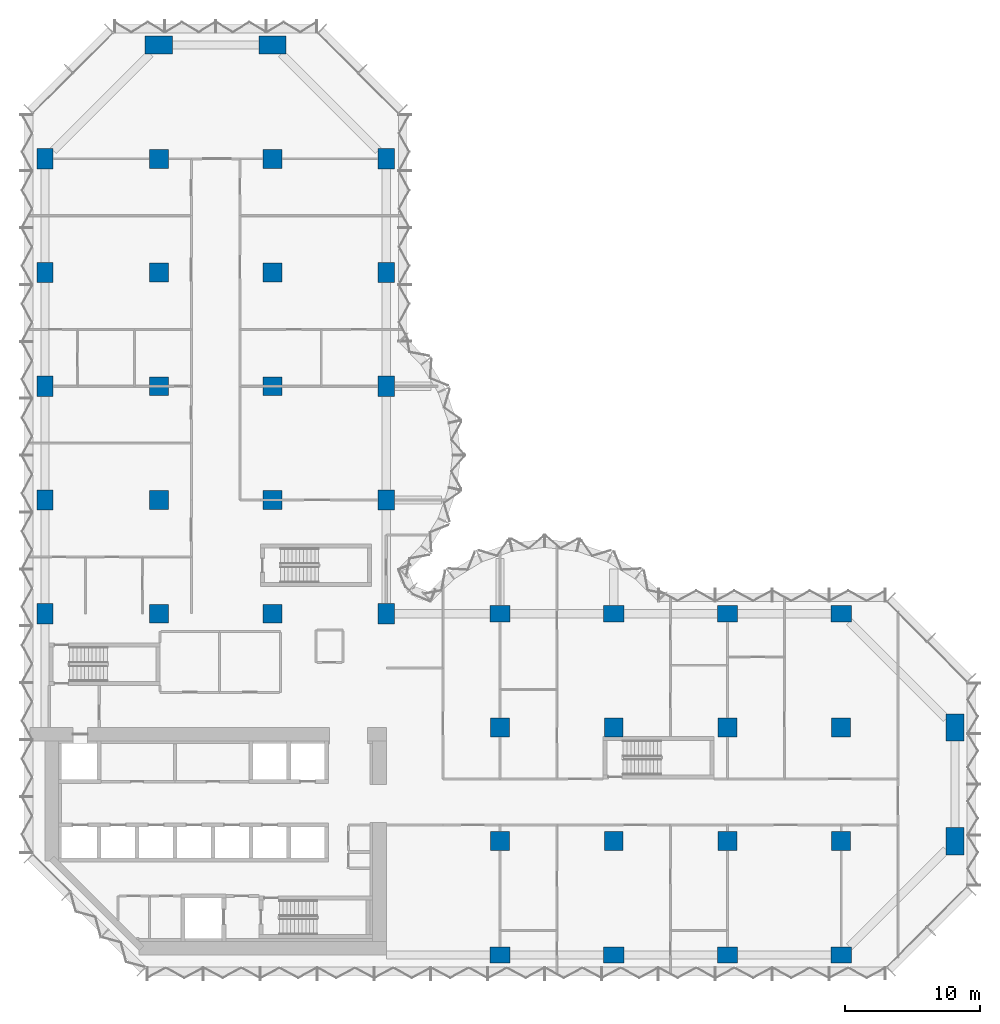
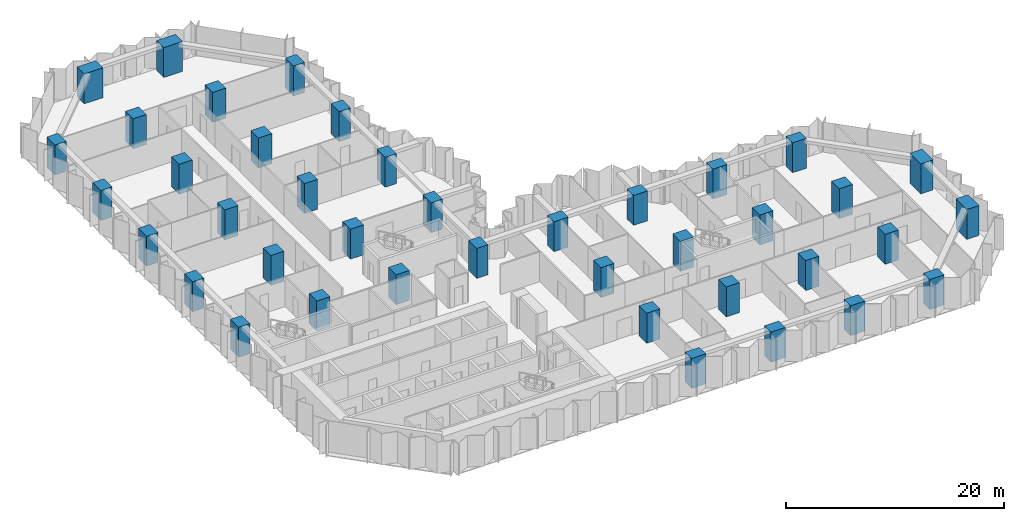
# One storey, part 1 of 15: 40 columns.
"""IFC4 building model written with IfcOpenShell, lengths in metres."""

from ifc_helpers import new_model, si_unit, direction, frame, origin, origin_2d, place, context, subcontext, project, spatial, rectangle, extrude, material, material_profile, profile_set, type_object, element, save


model = new_model("IFC4")

# Units and contexts
model_context = context("Model", 3, precision=1e-05, world=origin(), true_north=direction((0.0, 1.0)))
body_context = subcontext(model_context, "Body", "Model", "MODEL_VIEW")
ifc_project = project(units=[si_unit("LENGTHUNIT", "METRE"), si_unit("AREAUNIT", "SQUARE_METRE"), si_unit("VOLUMEUNIT", "CUBIC_METRE"), si_unit("PLANEANGLEUNIT", "RADIAN"), si_unit("MASSUNIT", "GRAM", prefix="KILO")], contexts=[model_context])

# Site, building, storey
site_placement = place(None, origin())
site = spatial("IfcSite", under=ifc_project, at=site_placement, CompositionType="ELEMENT")
building_placement = place(site_placement, origin())
building = spatial("IfcBuilding", under=site, at=building_placement, Name="Brevane Broadcast Tower", CompositionType="ELEMENT")
storey_placement = place(building_placement, frame((0.0, 0.0, 43.699951171875)))
storey = spatial("IfcBuildingStorey", under=building, at=storey_placement, Name="L08", CompositionType="ELEMENT", Elevation=43.699951171875)

# Columns
ifc_material = material(Name="Concrete C80/95", Category="concrete")
ifc_material_profile_1 = material_profile(ifc_material, rectangle(XDim=1.199951171875, YDim=1.5, at=origin_2d()), Name="RC 1200x1500")
ifc_profile_set_1 = profile_set([ifc_material_profile_1], Name="Concrete C80/95")
column_type_1 = type_object("IfcColumnType", Name="RC COLUMN EDGE 1200x1500 C80/95", PredefinedType="COLUMN", material=ifc_profile_set_1)
for number, where, z_axis, x_axis, name in (
    (1, (0.0, 25.199951171875, 0.0), (0.0, 0.0, 1.0), (1.0, 0.0, 0.0), "CE5 1/D"),
    (2, (0.0, 33.60009765625, 0.0), (0.0, 0.0, 1.0), (1.0, 0.0, 0.0), "CE5 1/E"),
    (3, (0.0, 42.0, 0.0), (0.0, 0.0, 1.0), (1.0, 0.0, 0.0), "CE5 1/F"),
    (4, (0.0, 50.39990234375, 0.0), (0.0, 0.0, 1.0), (1.0, 0.0, 0.0), "CE5 1/G"),
    (5, (0.0, 58.800048828125, 0.0), (0.0, 0.0, 1.0), (1.0, 0.0, 0.0), "CE5 1/H"),
    (6, (25.199951171875, 25.199951171875, 0.0), (0.0, 0.0, 1.0), (1.0, 0.0, 0.0), "CE5 4/D"),
    (7, (25.199951171875, 33.60009765625, 0.0), (0.0, 0.0, 1.0), (1.0, 0.0, 0.0), "CE5 4/E"),
    (8, (25.199951171875, 42.0, 0.0), (0.0, 0.0, 1.0), (1.0, 0.0, 0.0), "CE5 4/F"),
    (9, (25.199951171875, 50.39990234375, 0.0), (0.0, 0.0, 1.0), (1.0, 0.0, 0.0), "CE5 4/G"),
    (10, (25.199951171875, 58.800048828125, 0.0), (0.0, 0.0, 1.0), (1.0, 0.0, 0.0), "CE5 4/H"),
    (11, (33.60009765625, 0.0, 0.0), (0.0, 0.0, 1.0), (0.0, 1.0, 0.0), "CE5 5/A"),
    (12, (33.60009765625, 25.199951171875, 0.0), (0.0, 0.0, 1.0), (0.0, 1.0, 0.0), "CE5 5/D"),
    (13, (42.0, 0.0, 0.0), (0.0, 0.0, 1.0), (0.0, 1.0, 0.0), "CE5 6/A"),
    (14, (42.0, 25.199951171875, 0.0), (0.0, 0.0, 1.0), (0.0, 1.0, 0.0), "CE5 6/D"),
    (15, (50.39990234375, 0.0, 0.0), (0.0, 0.0, 1.0), (0.0, 1.0, 0.0), "CE5 7/A"),
    (16, (50.39990234375, 25.199951171875, 0.0), (0.0, 0.0, 1.0), (0.0, 1.0, 0.0), "CE5 7/D"),
    (17, (58.800048828125, 0.0, 0.0), (0.0, 0.0, 1.0), (0.0, 1.0, 0.0), "CE5 8/A"),
    (18, (58.800048828125, 25.199951171875, 0.0), (0.0, 0.0, 1.0), (0.0, 1.0, 0.0), "CE5 8/D"),
):
    element("IfcColumn", number, at=place(storey_placement, frame(where, z_axis=z_axis, x_axis=x_axis)), inside=storey, type_object=column_type_1, Name=name, PredefinedType="COLUMN", context=body_context, shape_type="SweptSolid", body=[
        extrude(rectangle(XDim=1.199951171875, YDim=1.5, at=origin_2d()), origin(), (0.0, 0.0, 1.0), 3.35009765625),
    ])
ifc_material_profile_2 = material_profile(ifc_material, rectangle(XDim=1.39990234375, YDim=1.39990234375, at=origin_2d()), Name="RC 1400x1400")
ifc_profile_set_2 = profile_set([ifc_material_profile_2], Name="Concrete C80/95")
column_type_2 = type_object("IfcColumnType", Name="RC COLUMN INTERIOR 1400x1400 C80/95", PredefinedType="COLUMN", material=ifc_profile_set_2)
for number, where, z_axis, x_axis, name in (
    (19, (8.39990234375, 25.199951171875, 0.0), (0.0, 0.0, 1.0), (1.0, 0.0, 0.0), "CI6 2/D"),
    (20, (8.39990234375, 33.60009765625, 0.0), (0.0, 0.0, 1.0), (1.0, 0.0, 0.0), "CI6 2/E"),
    (21, (8.39990234375, 42.0, 0.0), (0.0, 0.0, 1.0), (1.0, 0.0, 0.0), "CI6 2/F"),
    (22, (8.39990234375, 50.39990234375, 0.0), (0.0, 0.0, 1.0), (1.0, 0.0, 0.0), "CI6 2/G"),
    (23, (8.39990234375, 58.800048828125, 0.0), (0.0, 0.0, 1.0), (1.0, 0.0, 0.0), "CI6 2/H"),
    (24, (16.800048828125, 25.199951171875, 0.0), (0.0, 0.0, 1.0), (1.0, 0.0, 0.0), "CI6 3/D"),
    (25, (16.800048828125, 33.60009765625, 0.0), (0.0, 0.0, 1.0), (1.0, 0.0, 0.0), "CI6 3/E"),
    (26, (16.800048828125, 42.0, 0.0), (0.0, 0.0, 1.0), (1.0, 0.0, 0.0), "CI6 3/F"),
    (27, (16.800048828125, 50.39990234375, 0.0), (0.0, 0.0, 1.0), (1.0, 0.0, 0.0), "CI6 3/G"),
    (28, (16.800048828125, 58.800048828125, 0.0), (0.0, 0.0, 1.0), (1.0, 0.0, 0.0), "CI6 3/H"),
    (29, (33.60009765625, 8.39990234375, 0.0), (0.0, 0.0, 1.0), (1.0, 0.0, 0.0), "CI6 5/B"),
    (30, (33.60009765625, 16.800048828125, 0.0), (0.0, 0.0, 1.0), (1.0, 0.0, 0.0), "CI6 5/C"),
    (31, (42.0, 8.39990234375, 0.0), (0.0, 0.0, 1.0), (1.0, 0.0, 0.0), "CI6 6/B"),
    (32, (42.0, 16.800048828125, 0.0), (0.0, 0.0, 1.0), (1.0, 0.0, 0.0), "CI6 6/C"),
    (33, (50.39990234375, 8.39990234375, 0.0), (0.0, 0.0, 1.0), (1.0, 0.0, 0.0), "CI6 7/B"),
    (34, (50.39990234375, 16.800048828125, 0.0), (0.0, 0.0, 1.0), (1.0, 0.0, 0.0), "CI6 7/C"),
    (35, (58.800048828125, 8.39990234375, 0.0), (0.0, 0.0, 1.0), (1.0, 0.0, 0.0), "CI6 8/B"),
    (36, (58.800048828125, 16.800048828125, 0.0), (0.0, 0.0, 1.0), (1.0, 0.0, 0.0), "CI6 8/C"),
):
    element("IfcColumn", number, at=place(storey_placement, frame(where, z_axis=z_axis, x_axis=x_axis)), inside=storey, type_object=column_type_2, Name=name, PredefinedType="COLUMN", context=body_context, shape_type="SweptSolid", body=[
        extrude(rectangle(XDim=1.39990234375, YDim=1.39990234375, at=origin_2d()), origin(), (0.0, 0.0, 1.0), 3.35009765625),
    ])
ifc_material_profile_3 = material_profile(ifc_material, rectangle(XDim=1.300048828125, YDim=2.0, at=origin_2d()), Name="RC 1300x2000")
ifc_profile_set_3 = profile_set([ifc_material_profile_3], Name="Concrete C80/95")
column_type_3 = type_object("IfcColumnType", Name="RC COLUMN WING-END 1300x2000 C80/95", PredefinedType="COLUMN", material=ifc_profile_set_3)
for number, where, z_axis, x_axis, name in (
    (37, (8.39990234375, 67.199951171875, 0.0), (0.0, 0.0, 1.0), (0.0, 1.0, 0.0), "CW7 2/I"),
    (38, (16.800048828125, 67.199951171875, 0.0), (0.0, 0.0, 1.0), (0.0, 1.0, 0.0), "CW7 3/I"),
    (39, (67.199951171875, 8.39990234375, 0.0), (0.0, 0.0, 1.0), (1.0, 0.0, 0.0), "CW7 9/B"),
    (40, (67.199951171875, 16.800048828125, 0.0), (0.0, 0.0, 1.0), (1.0, 0.0, 0.0), "CW7 9/C"),
):
    element("IfcColumn", number, at=place(storey_placement, frame(where, z_axis=z_axis, x_axis=x_axis)), inside=storey, type_object=column_type_3, Name=name, PredefinedType="COLUMN", context=body_context, shape_type="SweptSolid", body=[
        extrude(rectangle(XDim=1.300048828125, YDim=2.0, at=origin_2d()), origin(), (0.0, 0.0, 1.0), 3.35009765625),
    ])

save(model, "model.ifc")
